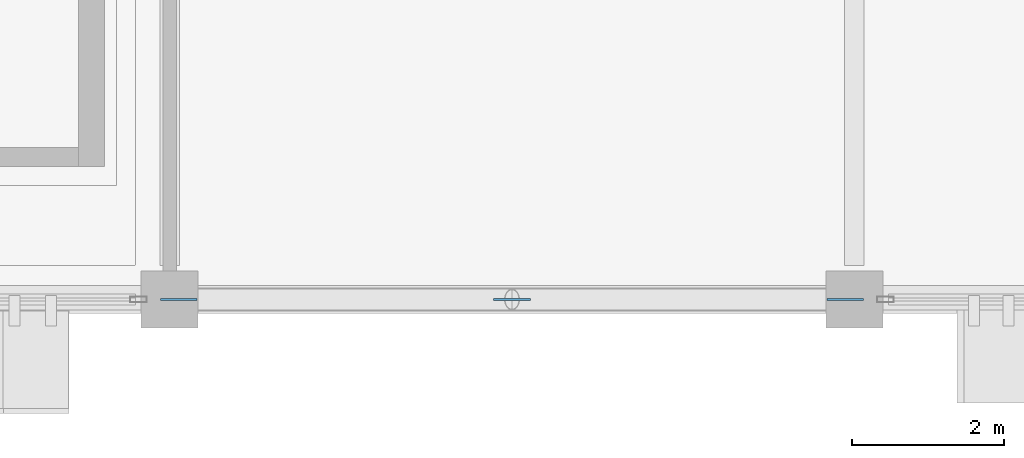
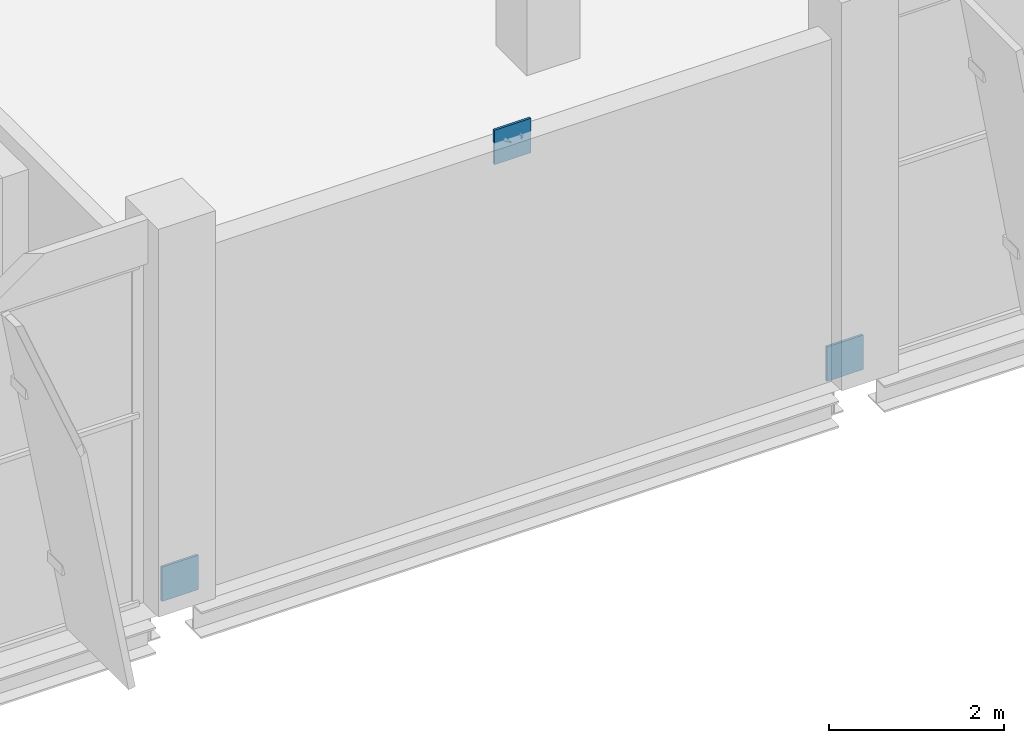
# One storey, part 126 of 189: 3 plates.
"""IFC4 building model written with IfcOpenShell, lengths in metres."""

from ifc_helpers import new_model, si_unit, direction, frame, origin, origin_2d, place, context, subcontext, project, spatial, rectangle, extrude, material, layer, layer_set, type_object, element, save


model = new_model("IFC4")

# Units and contexts
model_context = context("Model", 3, precision=1e-05, world=origin(), true_north=direction((0.0, 1.0)))
body_context = subcontext(model_context, "Body", "Model", "MODEL_VIEW")
ifc_project = project(units=[si_unit("LENGTHUNIT", "METRE"), si_unit("AREAUNIT", "SQUARE_METRE"), si_unit("VOLUMEUNIT", "CUBIC_METRE"), si_unit("PLANEANGLEUNIT", "RADIAN"), si_unit("MASSUNIT", "GRAM", prefix="KILO")], contexts=[model_context])

# Site, building, storey
site_placement = place(None, origin())
site = spatial("IfcSite", under=ifc_project, at=site_placement, CompositionType="ELEMENT")
building_placement = place(site_placement, origin())
building = spatial("IfcBuilding", under=site, at=building_placement, Name="Celestram Park Convention Centre", CompositionType="ELEMENT")
storey_placement = place(building_placement, frame((0.0, 0.0, 5.39990234375)))
storey = spatial("IfcBuildingStorey", under=building, at=storey_placement, Name="L01", CompositionType="ELEMENT", Elevation=5.39990234375)

# Plates
ifc_material = material(Name="Steel ASTM A572 Grade 50", Category="steel")
ifc_layer = layer(ifc_material, 0.031982421875)
ifc_layer_set = layer_set([ifc_layer], Name="Steel ASTM A572 Grade 50")
plate_type = type_object("IfcPlateType", Name="STR-PLT-GP32", PredefinedType="USERDEFINED", material=ifc_layer_set)
for number, where, z_axis, x_axis, name in (
    (1, (166.5, 0.0, 4.460205078125), (0.0, 0.0, 1.0), (1.0, 0.0, 0.0), "Chevron brace apex gusset GP-L01-535"),
    (2, (162.1201171875, 0.0, -0.08984375), (0.0, 0.0, 1.0), (1.0, 0.0, 0.0), "Chevron brace base gusset GP-L01-536"),
    (3, (170.8798828125, 0.0, -0.08984375), (0.0, 0.0, 1.0), (1.0, 0.0, 0.0), "Chevron brace base gusset GP-L01-537"),
):
    element("IfcPlate", number, at=place(storey_placement, frame(where, z_axis=z_axis, x_axis=x_axis)), inside=storey, type_object=plate_type, Name=name, ObjectType="GUSSET_PLATE", PredefinedType="USERDEFINED", context=body_context, shape_type="SweptSolid", body=[
        extrude(rectangle(XDim=0.47998046875, YDim=0.031982421875, at=origin_2d()), origin(), (0.0, 0.0, 1.0), 0.47998046875),
    ])

save(model, "model.ifc")
